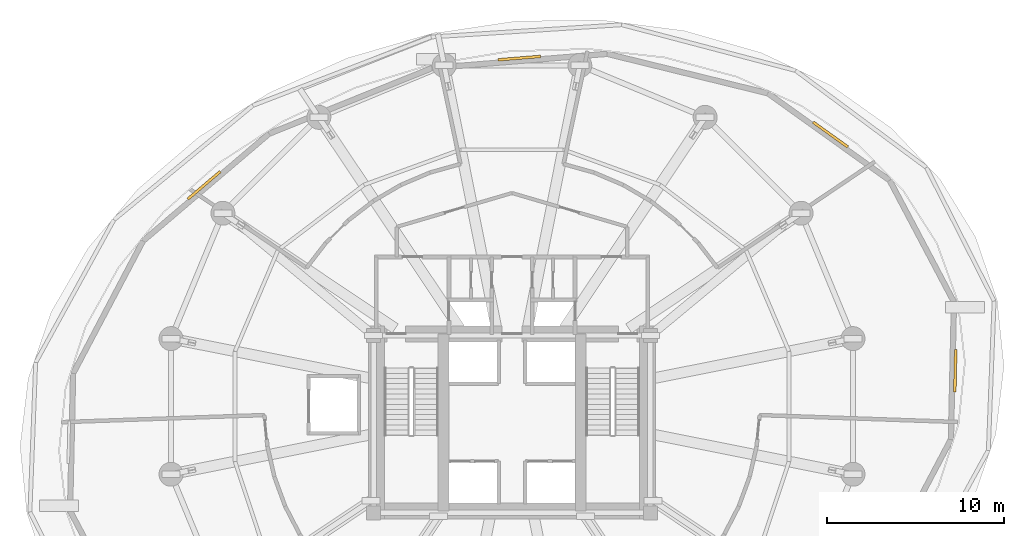
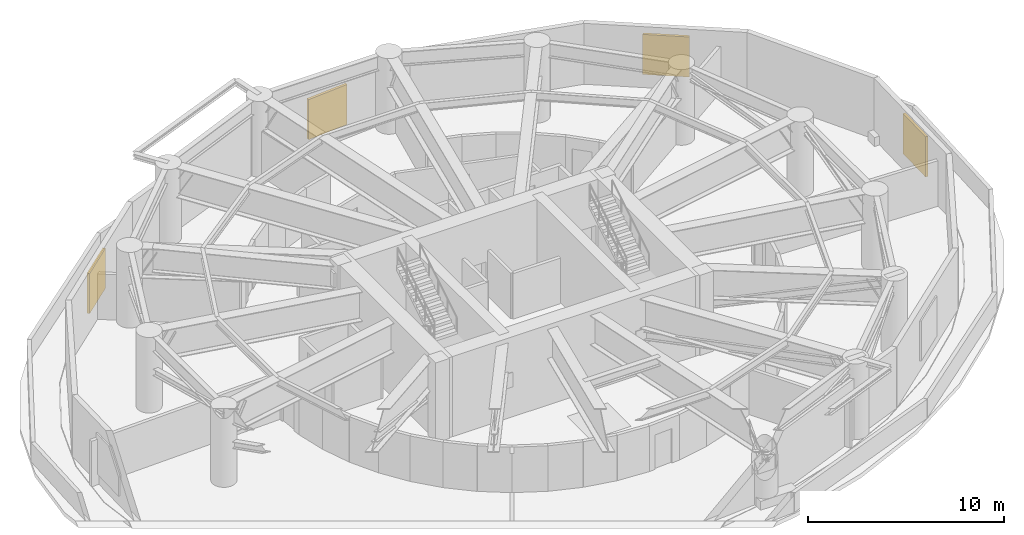
# One storey, part 8 of 8: 4 shading devices.
"""IFC4 building model written with IfcOpenShell, lengths in metres."""

from ifc_helpers import new_model, si_unit, direction, frame, origin, origin_2d, place, context, subcontext, project, spatial, rectangle, extrude, material, layer, layer_set, type_object, element, save


model = new_model("IFC4")

# Units and contexts
model_context = context("Model", 3, precision=1e-05, world=origin(), true_north=direction((0.0, 1.0)))
body_context = subcontext(model_context, "Body", "Model", "MODEL_VIEW")
ifc_project = project(units=[si_unit("LENGTHUNIT", "METRE"), si_unit("AREAUNIT", "SQUARE_METRE"), si_unit("VOLUMEUNIT", "CUBIC_METRE"), si_unit("PLANEANGLEUNIT", "RADIAN"), si_unit("MASSUNIT", "GRAM", prefix="KILO"), si_unit("THERMODYNAMICTEMPERATUREUNIT", "KELVIN"), si_unit("POWERUNIT", "WATT")], contexts=[model_context])

# Site, building, storey
site_placement = place(None, origin())
site = spatial("IfcSite", under=ifc_project, at=site_placement, CompositionType="ELEMENT")
building_placement = place(site_placement, origin())
building = spatial("IfcBuilding", under=site, at=building_placement, Name="Ocrelia Relay Tower", CompositionType="ELEMENT")
storey_placement = place(building_placement, frame((0.0, 0.0, 88.800048828125)))
storey = spatial("IfcBuildingStorey", under=building, at=storey_placement, Name="L20", CompositionType="ELEMENT", Elevation=88.800048828125)

# Shading devices
ifc_material = material(Name="Acoustic bronze-terracotta aluminium louvre", Category="masonry")
ifc_layer = layer(ifc_material, 0.14990234375, Name="Acoustic bronze-terracotta aluminium louvre")
ifc_layer_set = layer_set([ifc_layer], Name="Acoustic bronze-terracotta aluminium louvre")
shading_device_type = type_object("IfcShadingDeviceType", Name="SH-PLANT-LOUVRE", PredefinedType="JALOUSIE", material=ifc_layer_set)
for number, where, z_axis, x_axis, name in (
    (1, (51.952880859375, 41.326171875, 0.64990234375), (0.0, 0.0, 1.0), (-0.813224785985, 0.581949694957, 0.0), "L20 High-Altitude Plant Intake Louvre 02"),
    (2, (34.416748046875, 45.634765625, 0.64990234375), (0.0, 0.0, 1.0), (-0.996721354424, -0.080910701614, 0.0), "L20 High-Altitude Plant Intake Louvre 04"),
    (3, (16.64404296875, 38.4677734375, 0.64990234375), (0.0, 0.0, 1.0), (-0.761613905512, -0.648031063246, 0.0), "L20 High-Altitude Plant Intake Louvre 06"),
    (4, (58.98779296875, 28.011962890625, 0.64990234375), (0.0, 0.0, 1.0), (0.022052794824, 0.999756807549, 0.0), "L20 High-Altitude Plant Intake Louvre 16"),
):
    element("IfcShadingDevice", number, at=place(storey_placement, frame(where, z_axis=z_axis, x_axis=x_axis)), inside=storey, type_object=shading_device_type, Name=name, PredefinedType="JALOUSIE", context=body_context, shape_type="SweptSolid", body=[
        extrude(rectangle(XDim=2.39990234375, YDim=0.14990234375, at=origin_2d()), origin(), (0.0, 0.0, 1.0), 2.5),
    ])

save(model, "model.ifc")
